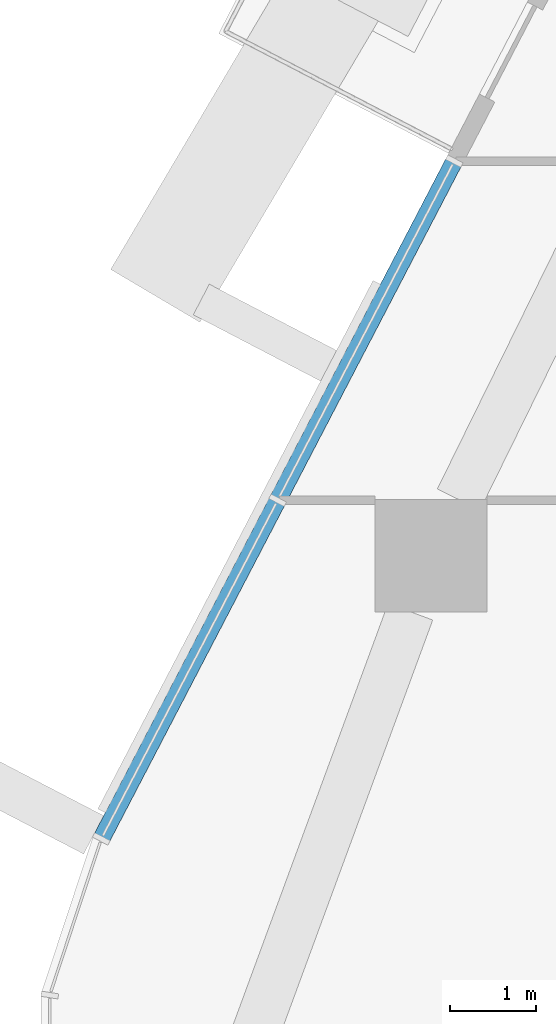
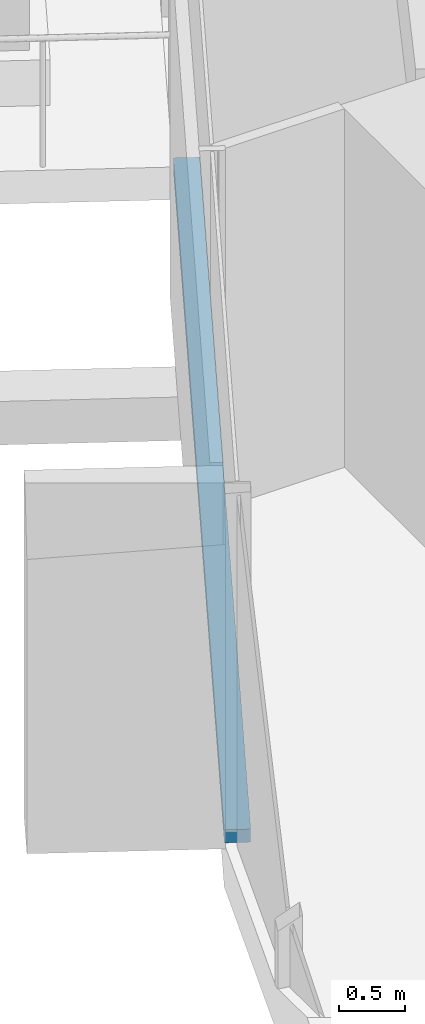
# One storey, part 3 of 24: 1 member, 1 element without a shape of its own.
"""IFC4 building model written with IfcOpenShell, lengths in metres."""

from ifc_helpers import new_model, si_unit, direction, frame, origin, origin_2d, place, context, subcontext, project, spatial, rectangle, extrude, material, layer, layer_set, material_profile, profile_set, type_object, element, aggregate, save


model = new_model("IFC4")

# Units and contexts
model_context = context("Model", 3, precision=1e-05, world=origin(), true_north=direction((0.0, 1.0)))
body_context = subcontext(model_context, "Body", "Model", "MODEL_VIEW")
ifc_project = project(units=[si_unit("LENGTHUNIT", "METRE"), si_unit("AREAUNIT", "SQUARE_METRE"), si_unit("VOLUMEUNIT", "CUBIC_METRE"), si_unit("PLANEANGLEUNIT", "RADIAN"), si_unit("MASSUNIT", "GRAM", prefix="KILO")], contexts=[model_context])

# Site, building, storey
site_placement = place(None, origin())
site = spatial("IfcSite", under=ifc_project, at=site_placement, CompositionType="ELEMENT")
building_placement = place(site_placement, origin())
building = spatial("IfcBuilding", under=site, at=building_placement, Name="Dongbaek Canopy Tower", CompositionType="ELEMENT")
storey_placement = place(building_placement, frame((0.0, 0.0, 128.5)))
storey = spatial("IfcBuildingStorey", under=building, at=storey_placement, Name="L28", CompositionType="ELEMENT", Elevation=128.5)

# Curtain wall, member
ifc_material_1 = material(Name="Aluminium 6063-T6 pale anodised", Category="aluminium")
ifc_layer = layer(ifc_material_1, 0.199951171875)
ifc_layer_set = layer_set([ifc_layer], Name="CW-1 unitised tower curtain wall")
curtain_wall_type = type_object("IfcCurtainWallType", Name="CW-1 unitised tower curtain wall", PredefinedType="NOTDEFINED", material=ifc_layer_set)
curtain_wall_placement = place(storey_placement, origin())
curtain_wall = element("IfcCurtainWall", 1, at=curtain_wall_placement, inside=storey, type_object=curtain_wall_type, Name="CW-1 curtain wall F2.1", PredefinedType="NOTDEFINED")
ifc_material_2 = material(Name="Aluminium 6063-T6 pale anodised", Category="aluminium")
ifc_material_profile = material_profile(ifc_material_2, rectangle(XDim=0.199951171875, YDim=0.1201171875, at=origin_2d()), Name="CW-1 transom 120 x 200")
ifc_profile_set = profile_set([ifc_material_profile], Name="Aluminium 6063-T6 pale anodised")
member_type = type_object("IfcMemberType", Name="CW-1 transom 120 x 200", PredefinedType="USERDEFINED", material=ifc_profile_set)
member_placement = place(storey_placement, frame((-27.42431640625, 4.64697265625, 0.06005859375), z_axis=(-0.461910884915, -0.886926341021, 0.0), x_axis=(0.886926341021, -0.461910884915, 0.0)))
member = element("IfcMember", 2, at=member_placement, type_object=member_type, Name="CW-1 transom F2.1.1", ObjectType="TRANSOM", PredefinedType="USERDEFINED", context=body_context, shape_type="SweptSolid", body=[
    extrude(rectangle(XDim=0.199951171875, YDim=0.1201171875, at=origin_2d()), origin(), (0.0, 0.0, 1.0), 8.84033203125),
])
aggregate(curtain_wall, [member])

save(model, "model.ifc")
